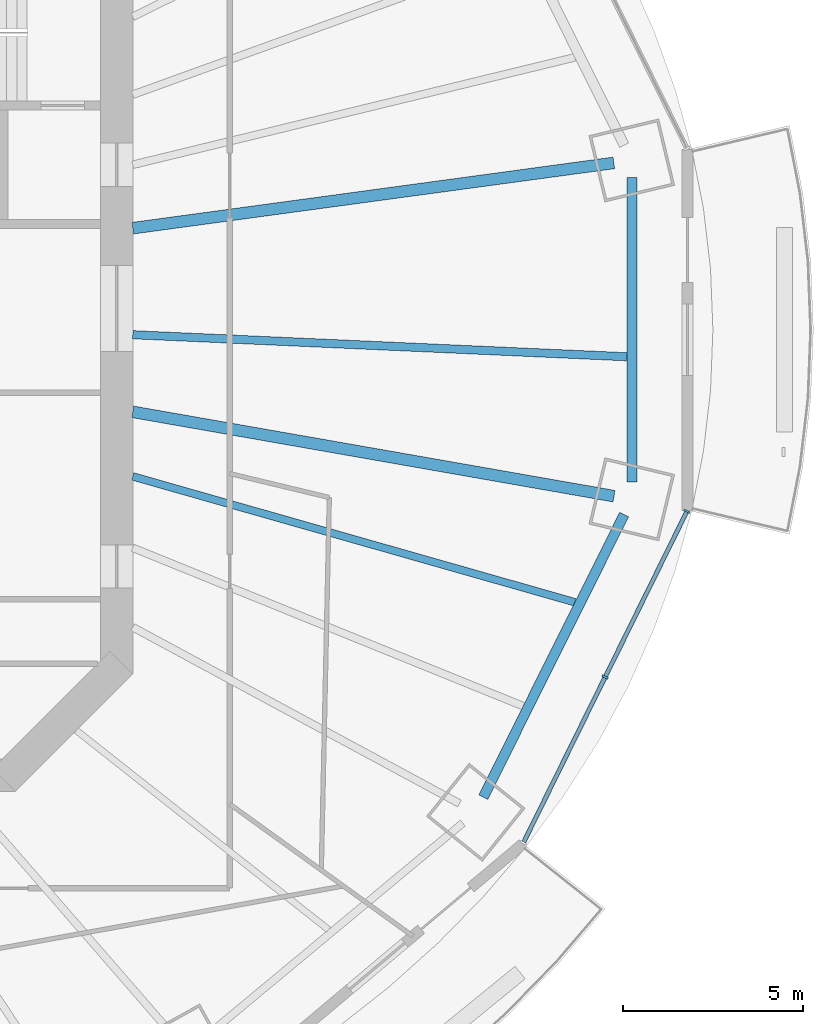
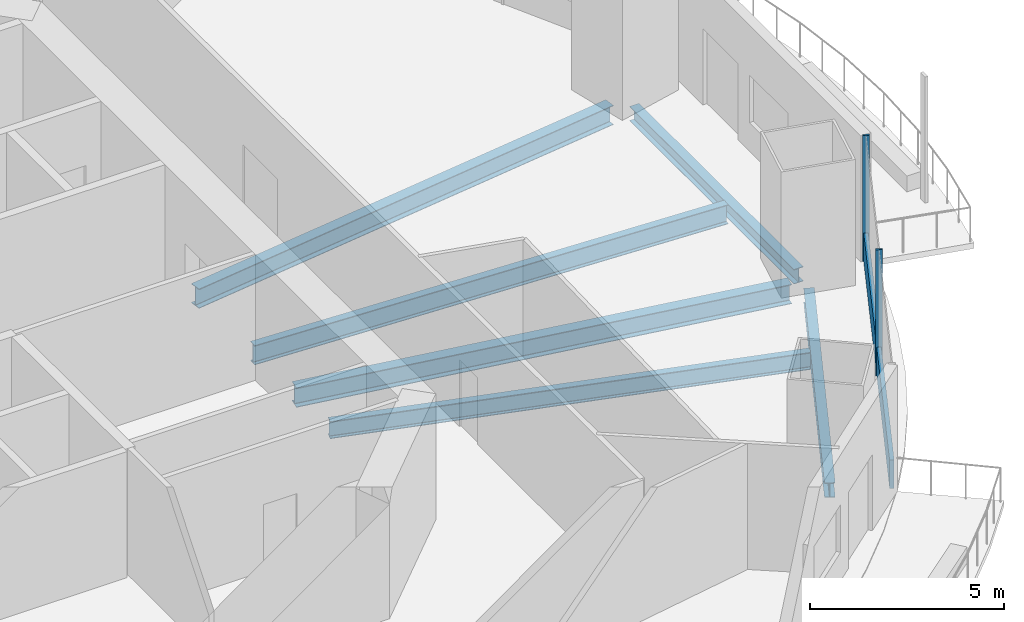
# One storey, part 5 of 19: 6 beams, 3 members, 1 element without a shape of its own.
"""IFC4 building model written with IfcOpenShell, lengths in metres."""

from ifc_helpers import new_model, si_unit, direction, frame, origin, origin_2d, place, context, subcontext, project, spatial, rectangle, i_section, extrude, material, material_profile, profile_set, type_object, element, aggregate, save


model = new_model("IFC4")

# Units and contexts
model_context = context("Model", 3, precision=1e-05, world=origin(), true_north=direction((0.0, 1.0)))
body_context = subcontext(model_context, "Body", "Model", "MODEL_VIEW")
ifc_project = project(units=[si_unit("LENGTHUNIT", "METRE"), si_unit("AREAUNIT", "SQUARE_METRE"), si_unit("VOLUMEUNIT", "CUBIC_METRE"), si_unit("PLANEANGLEUNIT", "RADIAN"), si_unit("MASSUNIT", "GRAM", prefix="KILO")], contexts=[model_context])

# Site, building, storey
site_placement = place(None, origin())
site = spatial("IfcSite", under=ifc_project, at=site_placement, CompositionType="ELEMENT")
building_placement = place(site_placement, origin())
building = spatial("IfcBuilding", under=site, at=building_placement, Name="Marenthal Gate Tower", CompositionType="ELEMENT")
storey_placement = place(building_placement, frame((0.0, 0.0, 227.449951171875)))
storey = spatial("IfcBuildingStorey", under=building, at=storey_placement, Name="L50", CompositionType="ELEMENT", Elevation=227.449951171875)

# Curtain wall, members
ifc_material_1 = material(Name="Aluminium and glass", Category="aluminium")
curtain_wall_type = type_object("IfcCurtainWallType", Name="Curtain wall typical mid", PredefinedType="NOTDEFINED", material=ifc_material_1)
curtain_wall_placement = place(storey_placement, origin())
curtain_wall = element("IfcCurtainWall", 1, at=curtain_wall_placement, inside=storey, type_object=curtain_wall_type, Name="Curtain wall L50 bay 15", PredefinedType="NOTDEFINED")
ifc_material_2 = material(Name="Aluminium", Category="aluminium")
ifc_material_profile_1 = material_profile(ifc_material_2, rectangle(XDim=0.179931640625, YDim=0.06005859375, at=origin_2d()), Name="60x180 aluminium mullion")
ifc_profile_set_1 = profile_set([ifc_material_profile_1], Name="Aluminium")
member_type_1 = type_object("IfcMemberType", Name="Mullion 60x180 typical mid", PredefinedType="MULLION", material=ifc_profile_set_1)
member_1_placement = place(storey_placement, frame((29.607177734375, -10.2705078125, 0.0), z_axis=(0.0, 0.0, 1.0), x_axis=(-0.896797507361, 0.442441217329, 0.0)))
member_1 = element("IfcMember", 2, at=member_1_placement, type_object=member_type_1, Name="Mullion L50 bay 15.2", PredefinedType="MULLION", context=body_context, shape_type="SweptSolid", body=[
    extrude(rectangle(XDim=0.179931640625, YDim=0.06005859375, at=origin_2d()), origin(), (0.0, 0.0, 1.0), 3.969970703125),
])
member_2_placement = place(storey_placement, frame((31.885009765625, -5.6533203125, 0.0), z_axis=(0.0, 0.0, 1.0), x_axis=(-0.896797507361, 0.442441217329, 0.0)))
member_2 = element("IfcMember", 3, at=member_2_placement, type_object=member_type_1, Name="Mullion L50 bay 15.3", PredefinedType="MULLION", context=body_context, shape_type="SweptSolid", body=[
    extrude(rectangle(XDim=0.179931640625, YDim=0.06005859375, at=origin_2d()), origin(), (0.0, 0.0, 1.0), 3.969970703125),
])
ifc_material_3 = material(Name="Aluminium", Category="aluminium")
ifc_material_profile_2 = material_profile(ifc_material_3, rectangle(XDim=0.1201171875, YDim=0.89990234375, at=origin_2d()), Name="120x900 aluminium transom")
ifc_profile_set_2 = profile_set([ifc_material_profile_2], Name="Aluminium")
member_type_2 = type_object("IfcMemberType", Name="Transom 120x900 typical mid", PredefinedType="USERDEFINED", material=ifc_profile_set_2)
member_3_placement = place(storey_placement, frame((27.342529296875, -14.860595703125, 0.449951171875), z_axis=(0.442456460688, 0.896789986783, 0.0), x_axis=(-0.896789986783, 0.442456460688, 0.0)))
member_3 = element("IfcMember", 4, at=member_3_placement, type_object=member_type_2, Name="Transom L50 bay 15", ObjectType="TRANSOM", PredefinedType="USERDEFINED", context=body_context, shape_type="SweptSolid", body=[
    extrude(rectangle(XDim=0.1201171875, YDim=0.89990234375, at=origin_2d()), origin(), (0.0, 0.0, 1.0), 10.23681640625),
])
aggregate(curtain_wall, [member_1, member_2, member_3])

# Beams
ifc_material_4 = material(Name="Steel S355", Category="steel")
ifc_material_profile_3 = material_profile(ifc_material_4, i_section(OverallWidth=0.279052734375, OverallDepth=0.4619140625, WebThickness=0.0107421875, FlangeThickness=0.017333984375, FilletRadius=0.010009765625, at=origin_2d()), Name="W460X113")
ifc_profile_set_3 = profile_set([ifc_material_profile_3], Name="Steel S355")
beam_type_1 = type_object("IfcBeamType", Name="W460X113 beam", PredefinedType="BEAM", material=ifc_profile_set_3)
beam_1_placement = place(storey_placement, frame((26.213134765625, -13.61376953125, -0.410888671875), z_axis=(0.446158339693, 0.894954041235, 0.0), x_axis=(-0.894954041235, 0.446158339693, 0.0)))
element("IfcBeam", 5, at=beam_1_placement, inside=storey, type_object=beam_type_1, Name="BM-L50-55", PredefinedType="BEAM", context=body_context, shape_type="SweptSolid", body=[
    extrude(i_section(OverallWidth=0.279052734375, OverallDepth=0.4619140625, WebThickness=0.0107421875, FlangeThickness=0.017333984375, FilletRadius=0.010009765625, at=origin_2d()), origin(), (0.0, 0.0, 1.0), 8.794189453125),
])
beam_2_placement = place(storey_placement, frame((30.3486328125, -4.841552734375, -0.410888671875), z_axis=(0.0, 1.0, 0.0), x_axis=(-1.0, 0.0, 0.0)))
element("IfcBeam", 6, at=beam_2_placement, inside=storey, type_object=beam_type_1, Name="BM-L50-56", PredefinedType="BEAM", context=body_context, shape_type="SweptSolid", body=[
    extrude(i_section(OverallWidth=0.279052734375, OverallDepth=0.4619140625, WebThickness=0.0107421875, FlangeThickness=0.017333984375, FilletRadius=0.010009765625, at=origin_2d()), origin(), (0.0, 0.0, 1.0), 8.483154296875),
])
ifc_material_5 = material(Name="Steel S355", Category="steel")
ifc_material_profile_4 = material_profile(ifc_material_5, i_section(OverallWidth=0.2119140625, OverallDepth=0.5439453125, WebThickness=0.01318359375, FlangeThickness=0.021240234375, FilletRadius=0.0126953125, at=origin_2d()), Name="W530X123")
ifc_profile_set_4 = profile_set([ifc_material_profile_4], Name="Steel S355")
beam_type_2 = type_object("IfcBeamType", Name="W530X123 beam", PredefinedType="BEAM", material=ifc_profile_set_4)
beam_3_placement = place(storey_placement, frame((28.763427734375, -8.185546875, -0.451904296875), z_axis=(-0.961811985112, 0.273710988626, 0.0), x_axis=(-0.273710988626, -0.961811985112, 0.0)))
element("IfcBeam", 7, at=beam_3_placement, inside=storey, type_object=beam_type_2, Name="BM-L50-39", PredefinedType="BEAM", context=body_context, shape_type="SweptSolid", body=[
    extrude(i_section(OverallWidth=0.2119140625, OverallDepth=0.5439453125, WebThickness=0.01318359375, FlangeThickness=0.021240234375, FilletRadius=0.0126953125, at=origin_2d()), origin(), (0.0, 0.0, 1.0), 12.802490234375),
])
ifc_material_6 = material(Name="Steel S355", Category="steel")
ifc_material_profile_5 = material_profile(ifc_material_6, i_section(OverallWidth=0.22900390625, OverallDepth=0.612060546875, WebThickness=0.011962890625, FlangeThickness=0.01953125, FilletRadius=0.0126953125, at=origin_2d()), Name="W610X125")
ifc_profile_set_5 = profile_set([ifc_material_profile_5], Name="Steel S355")
beam_type_3 = type_object("IfcBeamType", Name="W610X125 beam", PredefinedType="BEAM", material=ifc_profile_set_5)
beam_4_placement = place(storey_placement, frame((30.209228515625, -1.3486328125, -0.48583984375), z_axis=(-0.999004980576, 0.04459875317, 0.0), x_axis=(-0.04459875317, -0.999004980576, 0.0)))
element("IfcBeam", 8, at=beam_4_placement, inside=storey, type_object=beam_type_3, Name="BM-L50-40", PredefinedType="BEAM", context=body_context, shape_type="SweptSolid", body=[
    extrude(i_section(OverallWidth=0.22900390625, OverallDepth=0.612060546875, WebThickness=0.011962890625, FlangeThickness=0.01953125, FilletRadius=0.0126953125, at=origin_2d()), origin(), (0.0, 0.0, 1.0), 13.77294921875),
])
ifc_material_7 = material(Name="Steel S355", Category="steel")
ifc_material_profile_6 = material_profile(ifc_material_7, i_section(OverallWidth=0.324951171875, OverallDepth=0.612060546875, WebThickness=0.0126953125, FlangeThickness=0.01904296875, FilletRadius=0.0126953125, at=origin_2d()), Name="W610X155")
ifc_profile_set_6 = profile_set([ifc_material_profile_6], Name="Steel S355")
beam_type_4 = type_object("IfcBeamType", Name="W610X155 beam", PredefinedType="BEAM", material=ifc_profile_set_6)
beam_5_placement = place(storey_placement, frame((29.848388671875, 4.05029296875, -0.48583984375), z_axis=(-0.990920920004, -0.134446012579, 0.0), x_axis=(0.134446012579, -0.990920920004, 0.0)))
element("IfcBeam", 9, at=beam_5_placement, inside=storey, type_object=beam_type_4, Name="BM-L50-01", PredefinedType="BEAM", context=body_context, shape_type="SweptSolid", body=[
    extrude(i_section(OverallWidth=0.324951171875, OverallDepth=0.612060546875, WebThickness=0.0126953125, FlangeThickness=0.01904296875, FilletRadius=0.0126953125, at=origin_2d()), origin(), (0.0, 0.0, 1.0), 13.521240234375),
])
beam_6_placement = place(storey_placement, frame((29.854248046875, -5.231689453125, -0.48583984375), z_axis=(-0.984991449928, 0.172603138929, 0.0), x_axis=(-0.172603138929, -0.984991449928, 0.0)))
element("IfcBeam", 10, at=beam_6_placement, inside=storey, type_object=beam_type_4, Name="BM-L50-16", PredefinedType="BEAM", context=body_context, shape_type="SweptSolid", body=[
    extrude(i_section(OverallWidth=0.324951171875, OverallDepth=0.612060546875, WebThickness=0.0126953125, FlangeThickness=0.01904296875, FilletRadius=0.0126953125, at=origin_2d()), origin(), (0.0, 0.0, 1.0), 13.608642578125),
])

save(model, "model.ifc")
